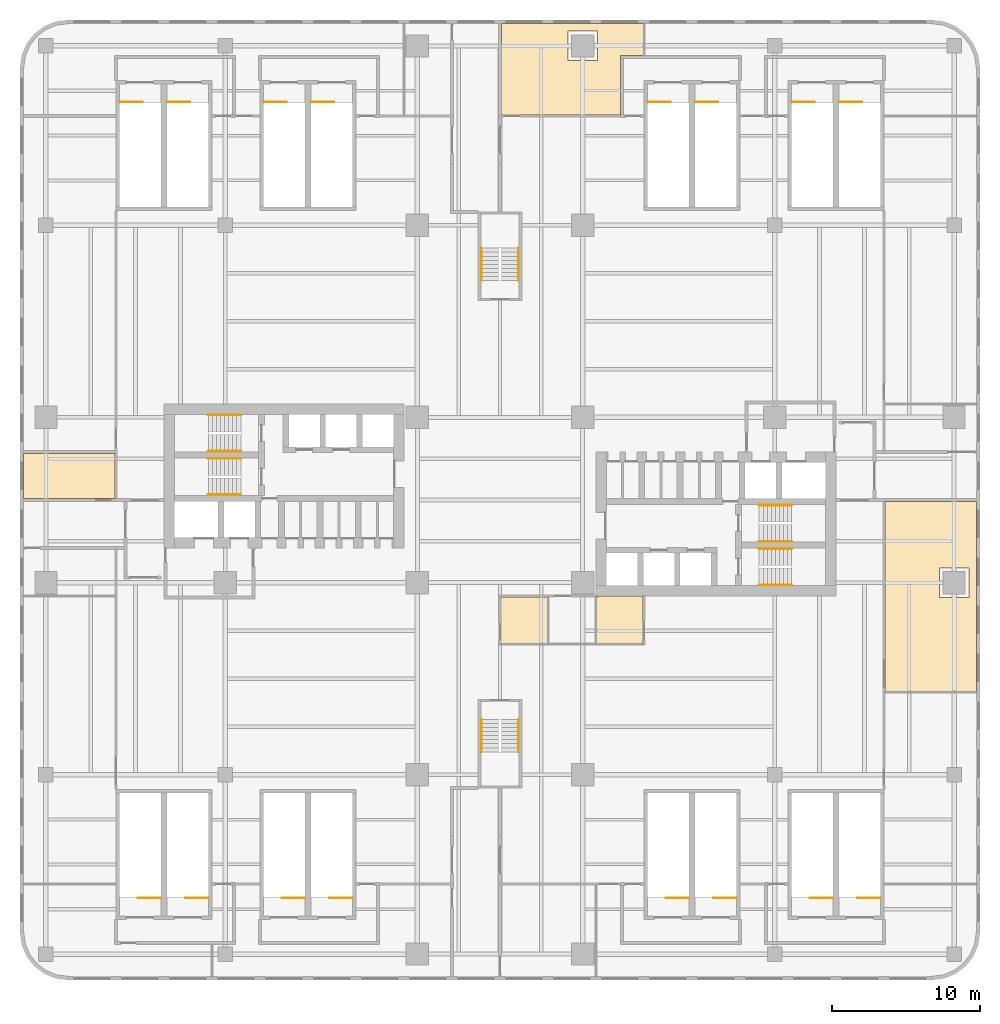
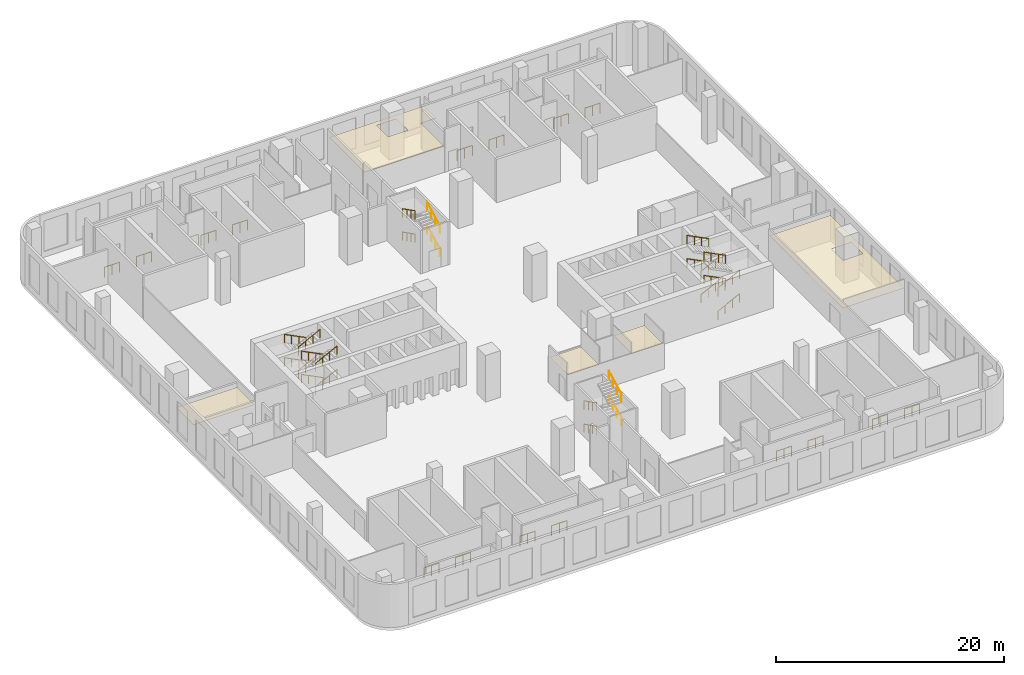
# One storey, part 13 of 13: 40 railings, 5 coverings.
"""IFC4 building model written with IfcOpenShell, lengths in metres."""

from ifc_helpers import new_model, si_unit, direction, frame, origin, origin_2d, place, context, subcontext, project, spatial, polyline, circle, outline, extrude, source, transform, mapped, material, layer, layer_set, type_object, element, save


model = new_model("IFC4")

# Units and contexts
model_context = context("Model", 3, precision=1e-05, world=origin(), true_north=direction((0.0, 1.0)))
body_context = subcontext(model_context, "Body", "Model", "MODEL_VIEW")
ifc_project = project(units=[si_unit("LENGTHUNIT", "METRE"), si_unit("AREAUNIT", "SQUARE_METRE"), si_unit("VOLUMEUNIT", "CUBIC_METRE"), si_unit("PLANEANGLEUNIT", "RADIAN"), si_unit("MASSUNIT", "GRAM", prefix="KILO")], contexts=[model_context])

# Site, building, storey
site_placement = place(None, origin())
site = spatial("IfcSite", under=ifc_project, at=site_placement, CompositionType="ELEMENT")
building_placement = place(site_placement, origin())
building = spatial("IfcBuilding", under=site, at=building_placement, Name="Trellis Farm Tower", CompositionType="ELEMENT")
storey_placement = place(building_placement, frame((0.0, 0.0, 29.0)))
storey = spatial("IfcBuildingStorey", under=building, at=storey_placement, Name="L05", CompositionType="ELEMENT", Elevation=29.0)

# Coverings
ifc_material_1 = material(Name="Mineral fibre ceiling tile on concealed grid")
ifc_layer_1 = layer(ifc_material_1, 0.0400390625)
ifc_layer_set_1 = layer_set([ifc_layer_1], Name="MINERAL FIBRE CEILING TILE 40")
covering_type_1 = type_object("IfcCoveringType", Name="MINERAL FIBRE CEILING TILE 40", PredefinedType="CEILING", material=ifc_layer_set_1)
placement = place(storey_placement, frame((0.0, 0.0, 2.699951171875)))
element("IfcCovering", 1, at=placement, inside=storey, type_object=covering_type_1, Name="CL1 suspended ceiling", PredefinedType="CEILING", context=body_context, shape_type="SweptSolid", body=[
    extrude(outline(polyline([(9.699951171875, 30.10009765625), (8.14990234375, 30.10009765625), (8.14990234375, 26.0625), (0.10009765625, 26.0625), (0.10009765625, 32.25), (9.699951171875, 32.25), (9.699951171875, 30.10009765625)]), holes=[polyline([(4.60009765625, 29.75), (6.60009765625, 29.75), (6.60009765625, 31.75), (4.60009765625, 31.75), (4.60009765625, 29.75)])]), origin(), (0.0, 0.0, 1.0), 0.0400390625),
])
element("IfcCovering", 2, at=placement, inside=storey, type_object=covering_type_1, Name="CL1 suspended ceiling", PredefinedType="CEILING", context=body_context, shape_type="SweptSolid", body=[
    extrude(outline(polyline([(26.0625, -12.949951171875), (26.0625, -0.10009765625), (32.25, -0.10009765625), (32.25, -12.949951171875), (26.0625, -12.949951171875)]), holes=[polyline([(31.75, -6.60009765625), (31.75, -4.60009765625), (29.75, -4.60009765625), (29.75, -6.60009765625), (31.75, -6.60009765625)])]), origin(), (0.0, 0.0, 1.0), 0.0400390625),
])
element("IfcCovering", 3, at=placement, inside=storey, type_object=covering_type_1, Name="CL1 suspended ceiling", PredefinedType="CEILING", context=body_context, shape_type="SweptSolid", body=[
    extrude(outline(polyline([(-26.0625, 3.14990234375), (-26.0625, 0.10009765625), (-32.25, 0.10009765625), (-32.25, 3.14990234375), (-26.0625, 3.14990234375)])), origin(), (0.0, 0.0, 1.0), 0.0400390625),
])
ifc_material_2 = material(Name="Moisture resistant plasterboard on metal framing")
ifc_layer_2 = layer(ifc_material_2, 0.02490234375)
ifc_layer_set_2 = layer_set([ifc_layer_2], Name="PLASTERBOARD CEILING 25")
covering_type_2 = type_object("IfcCoveringType", Name="PLASTERBOARD CEILING 25", PredefinedType="CEILING", material=ifc_layer_set_2)
element("IfcCovering", 4, at=placement, inside=storey, type_object=covering_type_2, Name="CL2 suspended ceiling", PredefinedType="CEILING", context=body_context, shape_type="SweptSolid", body=[
    extrude(outline(polyline([(3.199951171875, -6.5625), (3.199951171875, -9.699951171875), (0.0625, -9.699951171875), (0.0625, -6.5625), (3.199951171875, -6.5625)])), origin(), (0.0, 0.0, 1.0), 0.025146484375),
])

# Railings
ifc_material_3 = material(Name="Stainless steel", Category="steel")
railing_type_1 = type_object("IfcRailingType", Name="STAIR HANDRAIL 900", PredefinedType="HANDRAIL", material=ifc_material_3)
shared_shape_1 = source(origin(), body_context, "Body", "SweptSolid", [
    extrude(circle(Radius=0.02392578125, at=origin_2d()), frame((0.0, 0.0, 0.8759765625), z_axis=(0.0, 0.892617056473, 0.450815694596), x_axis=(-1.0, 0.0, 0.0)), (0.0, 0.0, 1.0), 2.464599609375),
    extrude(circle(Radius=0.02099609375, at=origin_2d()), origin(), (0.0, 0.0, 1.0), 0.851806640625),
    extrude(circle(Radius=0.02099609375, at=origin_2d()), frame((0.0, 0.7333984375, 0.370361328125)), (0.0, 0.0, 1.0), 0.851806640625),
    extrude(circle(Radius=0.02099609375, at=origin_2d()), frame((0.0, 1.466552734375, 0.74072265625)), (0.0, 0.0, 1.0), 0.851806640625),
    extrude(circle(Radius=0.02099609375, at=origin_2d()), frame((0.0, 2.199951171875, 1.111083984375)), (0.0, 0.0, 1.0), 0.851806640625),
])
for number, where, name in (
    (5, (1.25, 14.85009765625, 0.138916015625), "Stair handrail"),
    (6, (1.25, 14.85009765625, 2.638916015625), "Stair handrail"),
    (7, (1.25, -17.050048828125, 1.388916015625), "Stair handrail"),
    (8, (1.25, -17.050048828125, 3.888916015625), "Stair handrail"),
):
    element("IfcRailing", number, at=place(storey_placement, frame(where)), inside=storey, type_object=railing_type_1, Name=name, PredefinedType="HANDRAIL", context=body_context, shape_type="MappedRepresentation", body=[
        mapped(shared_shape_1, transform((0.0, 0.0, 0.0))),
    ])
shared_shape_2 = source(origin(), body_context, "Body", "SweptSolid", [
    extrude(circle(Radius=0.02392578125, at=origin_2d()), frame((0.0, 0.0, 0.8759765625), z_axis=(0.0, -0.892617056473, 0.450815694596), x_axis=(1.0, 0.0, 0.0)), (0.0, 0.0, 1.0), 2.464599609375),
    extrude(circle(Radius=0.02099609375, at=origin_2d()), origin(), (0.0, 0.0, 1.0), 0.851806640625),
    extrude(circle(Radius=0.02099609375, at=origin_2d()), frame((0.0, -0.7333984375, 0.370361328125)), (0.0, 0.0, 1.0), 0.851806640625),
    extrude(circle(Radius=0.02099609375, at=origin_2d()), frame((0.0, -1.466552734375, 0.74072265625)), (0.0, 0.0, 1.0), 0.851806640625),
    extrude(circle(Radius=0.02099609375, at=origin_2d()), frame((0.0, -2.199951171875, 1.111083984375)), (0.0, 0.0, 1.0), 0.851806640625),
])
for number, where, name in (
    (9, (-1.25, 17.050048828125, 1.388916015625), "Stair handrail"),
    (10, (-1.25, 17.050048828125, 3.888916015625), "Stair handrail"),
    (11, (-1.25, -14.85009765625, 0.138916015625), "Stair handrail"),
    (12, (-1.25, -14.85009765625, 2.638916015625), "Stair handrail"),
):
    element("IfcRailing", number, at=place(storey_placement, frame(where)), inside=storey, type_object=railing_type_1, Name=name, PredefinedType="HANDRAIL", context=body_context, shape_type="MappedRepresentation", body=[
        mapped(shared_shape_2, transform((0.0, 0.0, 0.0))),
    ])
shared_shape_3 = source(origin(), body_context, "Body", "SweptSolid", [
    extrude(circle(Radius=0.02392578125, at=origin_2d()), frame((0.0, 0.0, 0.8759765625), z_axis=(0.892617056473, 0.0, 0.450815694596), x_axis=(0.0, 1.0, 0.0)), (0.0, 0.0, 1.0), 2.464599609375),
    extrude(circle(Radius=0.02099609375, at=origin_2d()), origin(), (0.0, 0.0, 1.0), 0.851806640625),
    extrude(circle(Radius=0.02099609375, at=origin_2d()), frame((0.7333984375, 0.0, 0.370361328125)), (0.0, 0.0, 1.0), 0.851806640625),
    extrude(circle(Radius=0.02099609375, at=origin_2d()), frame((1.466552734375, 0.0, 0.74072265625)), (0.0, 0.0, 1.0), 0.851806640625),
    extrude(circle(Radius=0.02099609375, at=origin_2d()), frame((2.199951171875, 0.0, 1.111083984375)), (0.0, 0.0, 1.0), 0.851806640625),
])
for number, where, name in (
    (13, (17.550048828125, -5.75, 0.138916015625), "Stair handrail"),
    (14, (17.550048828125, -5.75, 2.638916015625), "Stair handrail"),
    (15, (17.550048828125, -2.800048828125, 0.138916015625), "Stair handrail"),
    (16, (17.550048828125, -2.800048828125, 2.638916015625), "Stair handrail"),
    (17, (-19.75, 3.300048828125, 1.388916015625), "Stair handrail"),
    (18, (-19.75, 3.300048828125, 3.888916015625), "Stair handrail"),
    (19, (-19.75, 0.35009765625, 1.388916015625), "Stair handrail"),
    (20, (-19.75, 0.35009765625, 3.888916015625), "Stair handrail"),
):
    element("IfcRailing", number, at=place(storey_placement, frame(where)), inside=storey, type_object=railing_type_1, Name=name, PredefinedType="HANDRAIL", context=body_context, shape_type="MappedRepresentation", body=[
        mapped(shared_shape_3, transform((0.0, 0.0, 0.0))),
    ])
shared_shape_4 = source(origin(), body_context, "Body", "SweptSolid", [
    extrude(circle(Radius=0.02392578125, at=origin_2d()), frame((0.0, 0.0, 0.8759765625), z_axis=(-0.892617056473, 0.0, 0.450815694596), x_axis=(0.0, -1.0, 0.0)), (0.0, 0.0, 1.0), 2.464599609375),
    extrude(circle(Radius=0.02099609375, at=origin_2d()), origin(), (0.0, 0.0, 1.0), 0.851806640625),
    extrude(circle(Radius=0.02099609375, at=origin_2d()), frame((-0.7333984375, 0.0, 0.370361328125)), (0.0, 0.0, 1.0), 0.851806640625),
    extrude(circle(Radius=0.02099609375, at=origin_2d()), frame((-1.466552734375, 0.0, 0.74072265625)), (0.0, 0.0, 1.0), 0.851806640625),
    extrude(circle(Radius=0.02099609375, at=origin_2d()), frame((-2.199951171875, 0.0, 1.111083984375)), (0.0, 0.0, 1.0), 0.851806640625),
])
for number, where, name in (
    (21, (19.75, -3.300048828125, 1.388916015625), "Stair handrail"),
    (22, (19.75, -3.300048828125, 3.888916015625), "Stair handrail"),
    (23, (19.75, -0.35009765625, 1.388916015625), "Stair handrail"),
    (24, (19.75, -0.35009765625, 3.888916015625), "Stair handrail"),
    (25, (-17.550048828125, 5.75, 0.138916015625), "Stair handrail"),
    (26, (-17.550048828125, 5.75, 2.638916015625), "Stair handrail"),
    (27, (-17.550048828125, 2.800048828125, 0.138916015625), "Stair handrail"),
    (28, (-17.550048828125, 2.800048828125, 2.638916015625), "Stair handrail"),
):
    element("IfcRailing", number, at=place(storey_placement, frame(where)), inside=storey, type_object=railing_type_1, Name=name, PredefinedType="HANDRAIL", context=body_context, shape_type="MappedRepresentation", body=[
        mapped(shared_shape_4, transform((0.0, 0.0, 0.0))),
    ])
railing_type_2 = type_object("IfcRailingType", Name="STAIR GUARD 1100", PredefinedType="GUARDRAIL", material=ifc_material_3)
shared_shape_5 = source(origin(), body_context, "Body", "SweptSolid", [
    extrude(circle(Radius=0.02392578125, at=origin_2d()), frame((0.0, 0.0, 1.076171875), z_axis=(1.0, 0.0, 0.0), x_axis=(0.0, 1.0, 0.0)), (0.0, 0.0, 1.0), 1.530029296875),
    extrude(circle(Radius=0.02099609375, at=origin_2d()), origin(), (0.0, 0.0, 1.0), 1.052001953125),
    extrude(circle(Radius=0.02099609375, at=origin_2d()), frame((0.76513671875, 0.0, 0.0)), (0.0, 0.0, 1.0), 1.052001953125),
    extrude(circle(Radius=0.02099609375, at=origin_2d()), frame((1.530029296875, 0.0, 0.0)), (0.0, 0.0, 1.0), 1.052001953125),
])
for number, where, name in (
    (29, (-25.75, 26.949951171875, 0.0), "Stair guard"),
    (30, (-22.530029296875, 26.949951171875, 0.0), "Stair guard"),
    (31, (-16.0, 26.949951171875, 0.0), "Stair guard"),
    (32, (-12.780029296875, 26.949951171875, 0.0), "Stair guard"),
    (33, (10.0, 26.949951171875, 0.0), "Stair guard"),
    (34, (13.219970703125, 26.949951171875, 0.0), "Stair guard"),
    (35, (19.75, 26.949951171875, 0.0), "Stair guard"),
    (36, (22.969970703125, 26.949951171875, 0.0), "Stair guard"),
):
    element("IfcRailing", number, at=place(storey_placement, frame(where)), inside=storey, type_object=railing_type_2, Name=name, PredefinedType="GUARDRAIL", context=body_context, shape_type="MappedRepresentation", body=[
        mapped(shared_shape_5, transform((0.0, 0.0, 0.0))),
    ])
shared_shape_6 = source(origin(), body_context, "Body", "SweptSolid", [
    extrude(circle(Radius=0.02392578125, at=origin_2d()), frame((0.0, 0.0, 1.076171875), z_axis=(-1.0, 0.0, 0.0), x_axis=(0.0, -1.0, 0.0)), (0.0, 0.0, 1.0), 1.530029296875),
    extrude(circle(Radius=0.02099609375, at=origin_2d()), origin(), (0.0, 0.0, 1.0), 1.052001953125),
    extrude(circle(Radius=0.02099609375, at=origin_2d()), frame((-0.76513671875, 0.0, 0.0)), (0.0, 0.0, 1.0), 1.052001953125),
    extrude(circle(Radius=0.02099609375, at=origin_2d()), frame((-1.530029296875, 0.0, 0.0)), (0.0, 0.0, 1.0), 1.052001953125),
])
for number, where, name in (
    (37, (-22.969970703125, -26.949951171875, 0.0), "Stair guard"),
    (38, (-19.75, -26.949951171875, 0.0), "Stair guard"),
    (39, (-13.219970703125, -26.949951171875, 0.0), "Stair guard"),
    (40, (-10.0, -26.949951171875, 0.0), "Stair guard"),
    (41, (12.780029296875, -26.949951171875, 0.0), "Stair guard"),
    (42, (16.0, -26.949951171875, 0.0), "Stair guard"),
    (43, (22.530029296875, -26.949951171875, 0.0), "Stair guard"),
    (44, (25.75, -26.949951171875, 0.0), "Stair guard"),
):
    element("IfcRailing", number, at=place(storey_placement, frame(where)), inside=storey, type_object=railing_type_2, Name=name, PredefinedType="GUARDRAIL", context=body_context, shape_type="MappedRepresentation", body=[
        mapped(shared_shape_6, transform((0.0, 0.0, 0.0))),
    ])

# Covering
shared_shape_7 = source(origin(), body_context, "Body", "SweptSolid", [
    extrude(outline(polyline([(6.550048828125, -9.699951171875), (6.550048828125, -6.60009765625), (6.60009765625, -6.60009765625), (6.60009765625, -6.5), (9.6875, -6.5), (9.6875, -9.699951171875), (6.550048828125, -9.699951171875)])), origin(), (0.0, 0.0, 1.0), 0.025146484375),
])
element("IfcCovering", 45, at=placement, inside=storey, type_object=covering_type_2, Name="CL2 suspended ceiling", PredefinedType="CEILING", context=body_context, shape_type="MappedRepresentation", body=[
    mapped(shared_shape_7, transform((0.0, 0.0, 0.0))),
])

save(model, "model.ifc")
